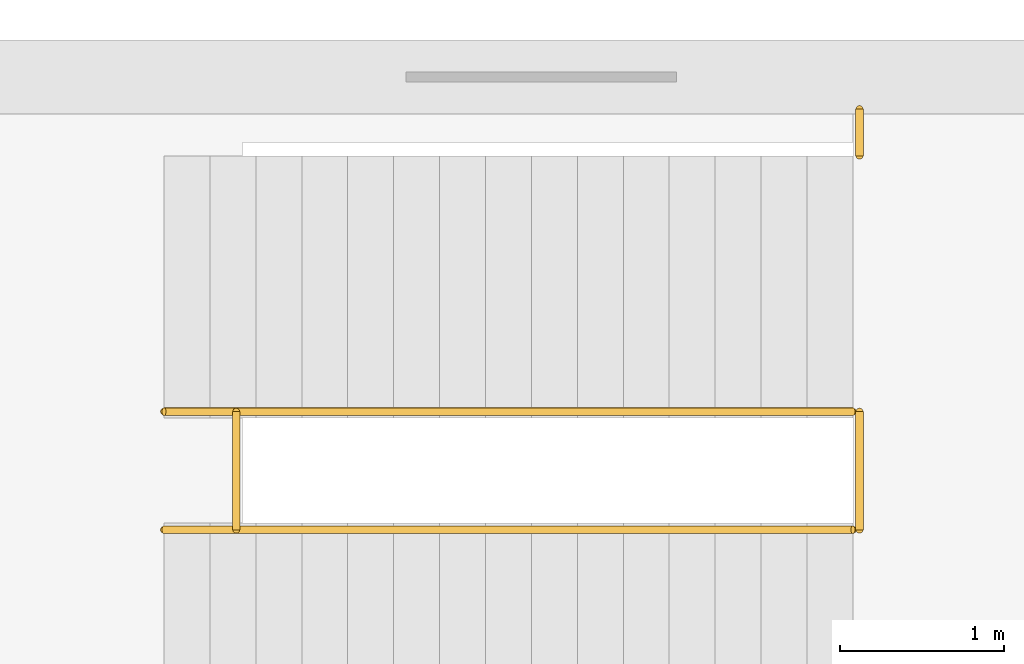
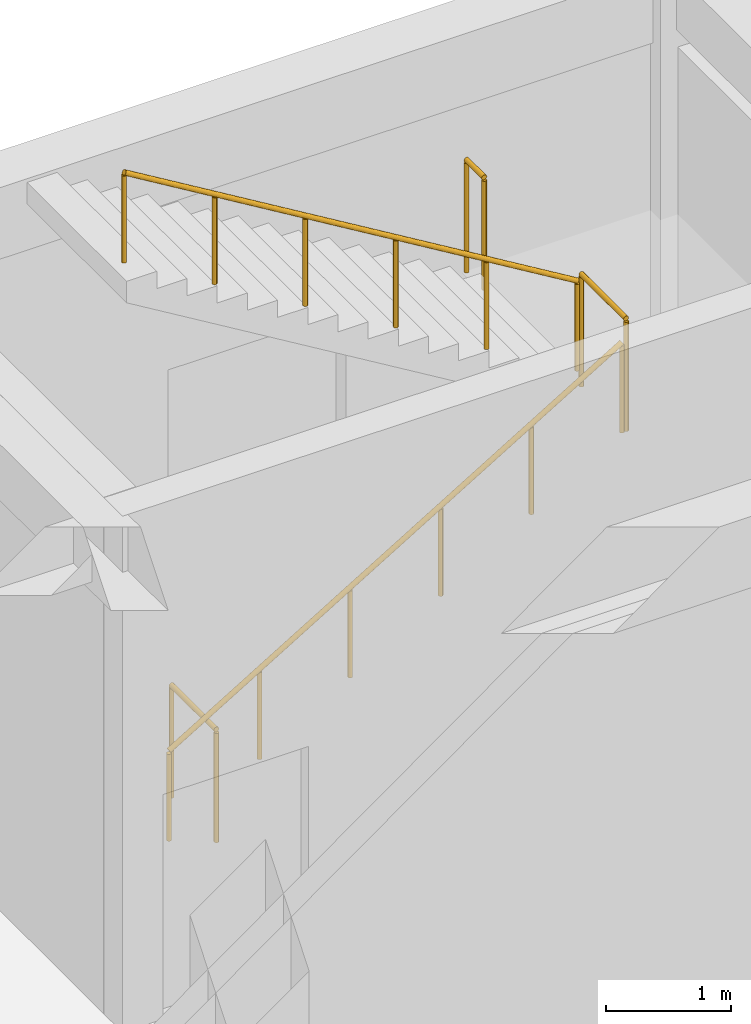
# One storey, part 37 of 40: 5 railings.
"""IFC4 building model written with IfcOpenShell, lengths in metres."""

from ifc_helpers import new_model, si_unit, direction, frame, origin, origin_2d, place, context, subcontext, project, spatial, circle, extrude, material, type_object, element, save


model = new_model("IFC4")

# Units and contexts
model_context = context("Model", 3, precision=1e-05, world=origin(), true_north=direction((0.0, 1.0)))
body_context = subcontext(model_context, "Body", "Model", "MODEL_VIEW")
ifc_project = project(units=[si_unit("LENGTHUNIT", "METRE"), si_unit("AREAUNIT", "SQUARE_METRE"), si_unit("VOLUMEUNIT", "CUBIC_METRE"), si_unit("PLANEANGLEUNIT", "RADIAN"), si_unit("MASSUNIT", "GRAM", prefix="KILO")], contexts=[model_context])

# Site, building, storey
site_placement = place(None, origin())
site = spatial("IfcSite", under=ifc_project, at=site_placement, CompositionType="ELEMENT")
building_placement = place(site_placement, origin())
building = spatial("IfcBuilding", under=site, at=building_placement, Name="Naurynzar Civic Courthouse", CompositionType="ELEMENT")
storey_placement = place(building_placement, origin())
storey = spatial("IfcBuildingStorey", under=building, at=storey_placement, Name="L01", CompositionType="ELEMENT", Elevation=0.0)

# Railings
ifc_material_1 = material(Name="Brushed Stainless Steel 304", Category="steel")
railing_type_1 = type_object("IfcRailingType", Name="RAIL-BAL-1100", PredefinedType="BALUSTRADE", material=ifc_material_1)
for number, where, name in (
    (1, (111.139892578125, 29.239990234375, 0.0), "Stair ST-V3B floor well slot guard L01"),
    (2, (114.93994140625, 29.239990234375, 2.699951171875), "Stair ST-V3B-L01 half-landing well guard"),
):
    element("IfcRailing", number, at=place(storey_placement, frame(where)), inside=storey, type_object=railing_type_1, Name=name, PredefinedType="BALUSTRADE", context=body_context, shape_type="SweptSolid", body=[
        extrude(circle(Radius=0.02392578125, at=origin_2d()), frame((0.0, 0.0, 1.09619140625), z_axis=(0.0, 1.0, 0.0), x_axis=(-1.0, 0.0, 0.0)), (0.0, 0.0, 1.0), 0.719970703125),
        extrude(circle(Radius=0.02099609375, at=origin_2d()), origin(), (0.0, 0.0, 1.0), 1.072021484375),
        extrude(circle(Radius=0.02099609375, at=origin_2d()), frame((0.0, 0.719970703125, 0.0)), (0.0, 0.0, 1.0), 1.072021484375),
    ])
railing_1_placement = place(storey_placement, frame((114.93994140625, 31.52001953125, 2.699951171875)))
element("IfcRailing", 3, at=railing_1_placement, inside=storey, type_object=railing_type_1, Name="Stair ST-V3B-L01 half-landing north slot guard", PredefinedType="BALUSTRADE", context=body_context, shape_type="SweptSolid", body=[
    extrude(circle(Radius=0.02392578125, at=origin_2d()), frame((0.0, 0.0, 1.09619140625), z_axis=(0.0, 1.0, 0.0), x_axis=(-1.0, 0.0, 0.0)), (0.0, 0.0, 1.0), 0.284912109375),
    extrude(circle(Radius=0.02099609375, at=origin_2d()), origin(), (0.0, 0.0, 1.0), 1.072021484375),
    extrude(circle(Radius=0.02099609375, at=origin_2d()), frame((0.0, 0.284912109375, 0.0)), (0.0, 0.0, 1.0), 1.072021484375),
])
ifc_material_2 = material(Name="Brushed Stainless Steel 304", Category="steel")
railing_type_2 = type_object("IfcRailingType", Name="RAIL-HR-900", PredefinedType="HANDRAIL", material=ifc_material_2)
railing_2_placement = place(storey_placement, frame((110.699951171875, 29.239990234375, 0.168701171875)))
element("IfcRailing", 4, at=railing_2_placement, inside=storey, type_object=railing_type_2, Name="Stair ST-V3B-L01 flight 1 handrail", PredefinedType="HANDRAIL", context=body_context, shape_type="SweptSolid", body=[
    extrude(circle(Radius=0.02392578125, at=origin_2d()), frame((0.0, 0.0, 0.8759765625), z_axis=(0.856476492594, 0.0, 0.516186030065), x_axis=(0.0, 1.0, 0.0)), (0.0, 0.0, 1.0), 4.90380859375),
    extrude(circle(Radius=0.02099609375, at=origin_2d()), origin(), (0.0, 0.0, 1.0), 0.851806640625),
    extrude(circle(Radius=0.02099609375, at=origin_2d()), frame((0.840087890625, 0.0, 0.50634765625)), (0.0, 0.0, 1.0), 0.851806640625),
    extrude(circle(Radius=0.02099609375, at=origin_2d()), frame((1.679931640625, 0.0, 1.012451171875)), (0.0, 0.0, 1.0), 0.851806640625),
    extrude(circle(Radius=0.02099609375, at=origin_2d()), frame((2.52001953125, 0.0, 1.518798828125)), (0.0, 0.0, 1.0), 0.851806640625),
    extrude(circle(Radius=0.02099609375, at=origin_2d()), frame((3.35986328125, 0.0, 2.02490234375)), (0.0, 0.0, 1.0), 0.851806640625),
    extrude(circle(Radius=0.02099609375, at=origin_2d()), frame((4.199951171875, 0.0, 2.53125)), (0.0, 0.0, 1.0), 0.851806640625),
])
railing_3_placement = place(storey_placement, frame((114.89990234375, 29.9599609375, 2.868896484375)))
element("IfcRailing", 5, at=railing_3_placement, inside=storey, type_object=railing_type_2, Name="Stair ST-V3B-L01 flight 2 handrail", PredefinedType="HANDRAIL", context=body_context, shape_type="SweptSolid", body=[
    extrude(circle(Radius=0.02392578125, at=origin_2d()), frame((0.0, 0.0, 0.8759765625), z_axis=(-0.856498503035, 0.0, 0.5161495077), x_axis=(0.0, -1.0, 0.0)), (0.0, 0.0, 1.0), 4.903564453125),
    extrude(circle(Radius=0.02099609375, at=origin_2d()), origin(), (0.0, 0.0, 1.0), 0.851806640625),
    extrude(circle(Radius=0.02099609375, at=origin_2d()), frame((-0.840087890625, 0.0, 0.506103515625)), (0.0, 0.0, 1.0), 0.851806640625),
    extrude(circle(Radius=0.02099609375, at=origin_2d()), frame((-1.679931640625, 0.0, 1.012451171875)), (0.0, 0.0, 1.0), 0.851806640625),
    extrude(circle(Radius=0.02099609375, at=origin_2d()), frame((-2.52001953125, 0.0, 1.5185546875)), (0.0, 0.0, 1.0), 0.851806640625),
    extrude(circle(Radius=0.02099609375, at=origin_2d()), frame((-3.35986328125, 0.0, 2.02490234375)), (0.0, 0.0, 1.0), 0.851806640625),
    extrude(circle(Radius=0.02099609375, at=origin_2d()), frame((-4.199951171875, 0.0, 2.531005859375)), (0.0, 0.0, 1.0), 0.851806640625),
])

save(model, "model.ifc")
